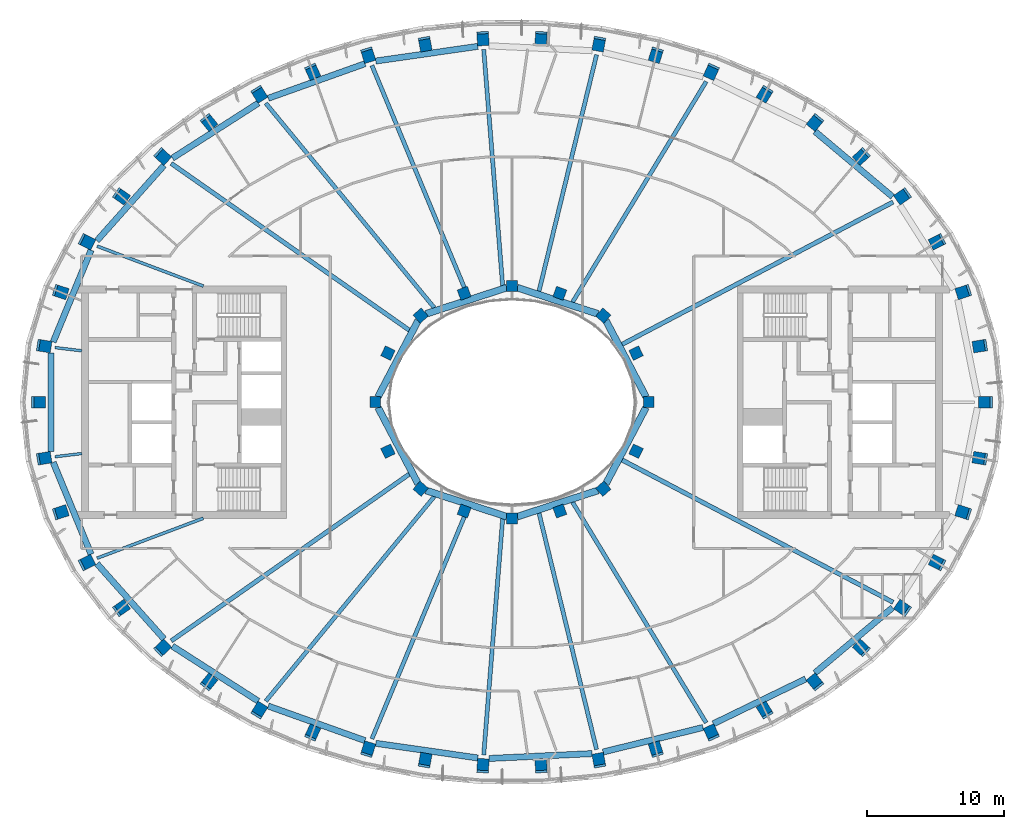
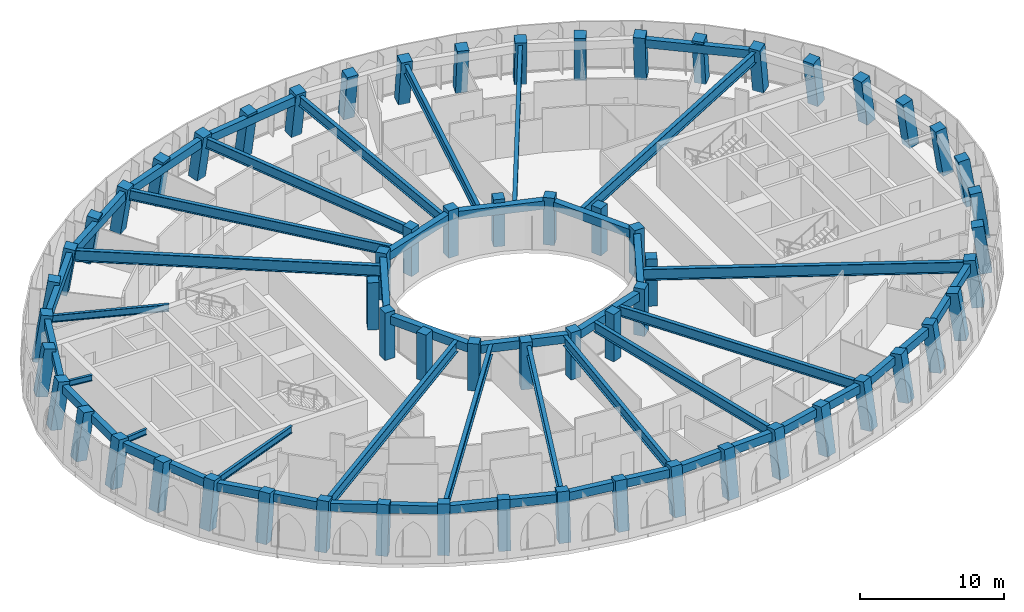
# One storey, part 1 of 15: 62 columns, 42 beams.
"""IFC4 building model written with IfcOpenShell, lengths in metres."""

from ifc_helpers import new_model, si_unit, direction, frame, origin, origin_2d, place, context, subcontext, project, spatial, rectangle, i_section, extrude, material, material_profile, profile_set, type_object, element, save


model = new_model("IFC4")

# Units and contexts
model_context = context("Model", 3, precision=1e-05, world=origin(), true_north=direction((0.0, 1.0)))
body_context = subcontext(model_context, "Body", "Model", "MODEL_VIEW")
ifc_project = project(units=[si_unit("LENGTHUNIT", "METRE"), si_unit("AREAUNIT", "SQUARE_METRE"), si_unit("VOLUMEUNIT", "CUBIC_METRE"), si_unit("PLANEANGLEUNIT", "RADIAN"), si_unit("MASSUNIT", "GRAM", prefix="KILO")], contexts=[model_context])

# Site, building, storey
site_placement = place(None, origin())
site = spatial("IfcSite", under=ifc_project, at=site_placement, CompositionType="ELEMENT")
building_placement = place(site_placement, origin())
building = spatial("IfcBuilding", under=site, at=building_placement, Name="Noorbagh Ring Tower", CompositionType="ELEMENT")
storey_placement = place(building_placement, frame((0.0, 0.0, 331.0)))
storey = spatial("IfcBuildingStorey", under=building, at=storey_placement, Name="L72", CompositionType="ELEMENT", Elevation=331.0)

# Columns
ifc_material_1 = material(Name="Concrete C50/60", Category="concrete")
ifc_material_profile_1 = material_profile(ifc_material_1, rectangle(XDim=0.85009765625, YDim=0.85009765625, at=origin_2d()), Name="RC850x850")
ifc_profile_set_1 = profile_set([ifc_material_profile_1], Name="Concrete C50/60")
column_type_1 = type_object("IfcColumnType", Name="STR-COL-RC850x850-C50-60", PredefinedType="COLUMN", material=ifc_profile_set_1)
for number, where, z_axis, x_axis, name in (
    (1, (34.740966796875, 0.0, 0.021484375), (-0.150246282603, 0.0, 0.988648600143), (0.0, -1.0, 0.0), "L72/col/R1-01"),
    (2, (34.325439453125, 4.11865234375, 0.021484375), (-0.148296126963, -0.02360781618, 0.988661180457), (0.157214100431, -0.987564543018, 0.0), "L72/col/R1-02"),
    (3, (33.111328125, 8.086669921875, 0.021484375), (-0.142866536544, -0.046300470212, 0.988658393579), (0.308296093486, -0.951290449201, 0.0), "L72/col/R1-03"),
    (4, (31.182861328125, 11.77978515625, 0.021484375), (-0.134266373369, -0.067163687905, 0.988666566649), (0.447376122584, -0.894345908998, 0.0), "L72/col/R1-04"),
    (5, (28.65185546875, 15.114013671875, 0.021484375), (-0.123102696868, -0.085952279429, 0.988664721574), (0.572480262114, -0.819918501736, 0.0), "L72/col/R1-05"),
    (6, (25.633544921875, 18.041748046875, 0.021484375), (-0.109926485592, -0.102240171949, 0.988667342945), (0.681043146633, -0.732243287729, 0.0), "L72/col/R1-06"),
    (7, (22.23291015625, 20.54248046875, 0.021484375), (-0.095164090544, -0.116087989939, 0.988669497083), (0.773359441209, -0.633967802568, 0.0), "L72/col/R1-07"),
    (8, (18.538818359375, 22.6123046875, 0.021484375), (-0.079302952693, -0.127494747022, 0.988663810997), (0.849137590634, -0.528171707093, 0.0), "L72/col/R1-08"),
    (9, (14.624755859375, 24.255615234375, 0.021484375), (-0.062466428094, -0.136523306713, 0.988665429802), (0.90933395541, -0.416067010876, 0.0), "L72/col/R1-09"),
    (10, (10.552001953125, 25.479248046875, 0.021484375), (-0.045019705707, -0.143233426828, 0.988664458518), (0.953987075843, -0.299847726564, 0.0), "L72/col/R1-10"),
    (11, (6.372314453125, 26.29052734375, 0.021484375), (-0.027145707227, -0.14774584922, 0.988652757351), (0.983536857085, -0.180707638895, 0.0), "L72/col/R1-11"),
    (12, (2.130859375, 26.694580078125, 0.021484375), (-0.009089322358, -0.149882315657, 0.988662063433), (0.99816626583, -0.060531857391, 0.0), "L72/col/R1-12"),
    (13, (-2.130859375, 26.694580078125, 0.021484375), (0.009089322358, -0.149882315657, 0.988662063433), (0.99816626583, 0.060531857391, 0.0), "L72/col/R1-13"),
    (14, (-6.372314453125, 26.29052734375, 0.021484375), (0.027145707227, -0.14774584922, 0.988652757351), (0.983536857085, 0.180707638895, 0.0), "L72/col/R1-14"),
    (15, (-10.552001953125, 25.479248046875, 0.021484375), (0.045019705707, -0.143233426828, 0.988664458518), (0.953987075843, 0.299847726564, 0.0), "L72/col/R1-15"),
    (16, (-14.624755859375, 24.255615234375, 0.021484375), (0.062466428094, -0.136523306713, 0.988665429802), (0.90933395541, 0.416067010876, 0.0), "L72/col/R1-16"),
    (17, (-18.538818359375, 22.6123046875, 0.021484375), (0.079302952693, -0.127494747022, 0.988663810997), (0.849137590634, 0.528171707093, 0.0), "L72/col/R1-17"),
    (18, (-22.23291015625, 20.54248046875, 0.021484375), (0.095164090544, -0.116087989939, 0.988669497083), (0.773359441209, 0.633967802568, 0.0), "L72/col/R1-18"),
    (19, (-25.633544921875, 18.041748046875, 0.021484375), (0.109926485592, -0.102240171949, 0.988667342945), (0.681043146633, 0.732243287729, 0.0), "L72/col/R1-19"),
    (20, (-28.65185546875, 15.114013671875, 0.021484375), (0.123102696868, -0.085952279429, 0.988664721574), (0.572480262114, 0.819918501736, 0.0), "L72/col/R1-20"),
    (21, (-31.182861328125, 11.77978515625, 0.021484375), (0.134266373369, -0.067163687905, 0.988666566649), (0.447376122584, 0.894345908998, 0.0), "L72/col/R1-21"),
    (22, (-33.111328125, 8.086669921875, 0.021484375), (0.142866536544, -0.046300470212, 0.988658393579), (0.308296093486, 0.951290449201, 0.0), "L72/col/R1-22"),
    (23, (-34.325439453125, 4.11865234375, 0.021484375), (0.148296126963, -0.02360781618, 0.988661180457), (0.157214100431, 0.987564543018, 0.0), "L72/col/R1-23"),
    (24, (-34.740966796875, 0.0, 0.021484375), (0.150246282603, 0.0, 0.988648600143), (0.0, 1.0, 0.0), "L72/col/R1-24"),
    (25, (-34.325439453125, -4.11865234375, 0.021484375), (0.148296126963, 0.02360781618, 0.988661180457), (-0.157214100431, 0.987564543018, 0.0), "L72/col/R1-25"),
    (26, (-33.111328125, -8.086669921875, 0.021484375), (0.142866536544, 0.046300470212, 0.988658393579), (-0.308296093486, 0.951290449201, 0.0), "L72/col/R1-26"),
    (27, (-31.182861328125, -11.77978515625, 0.021484375), (0.134266373369, 0.067163687905, 0.988666566649), (-0.447376122584, 0.894345908998, 0.0), "L72/col/R1-27"),
    (28, (-28.65185546875, -15.114013671875, 0.021484375), (0.123102696868, 0.085952279429, 0.988664721574), (-0.572480262114, 0.819918501736, 0.0), "L72/col/R1-28"),
    (29, (-25.633544921875, -18.041748046875, 0.021484375), (0.109926485592, 0.102240171949, 0.988667342945), (-0.681043146633, 0.732243287729, 0.0), "L72/col/R1-29"),
    (30, (-22.23291015625, -20.54248046875, 0.021484375), (0.095164090544, 0.116087989939, 0.988669497083), (-0.773359441209, 0.633967802568, 0.0), "L72/col/R1-30"),
    (31, (-18.538818359375, -22.6123046875, 0.021484375), (0.079302952693, 0.127494747022, 0.988663810997), (-0.849137590634, 0.528171707093, 0.0), "L72/col/R1-31"),
    (32, (-14.624755859375, -24.255615234375, 0.021484375), (0.062466428094, 0.136523306713, 0.988665429802), (-0.90933395541, 0.416067010876, 0.0), "L72/col/R1-32"),
    (33, (-10.552001953125, -25.479248046875, 0.021484375), (0.045019705707, 0.143233426828, 0.988664458518), (-0.953987075843, 0.299847726564, 0.0), "L72/col/R1-33"),
    (34, (-6.372314453125, -26.29052734375, 0.021484375), (0.027145707227, 0.14774584922, 0.988652757351), (-0.983536857085, 0.180707638895, 0.0), "L72/col/R1-34"),
    (35, (-2.130859375, -26.694580078125, 0.021484375), (0.009089322358, 0.149882315657, 0.988662063433), (-0.99816626583, 0.060531857391, 0.0), "L72/col/R1-35"),
    (36, (2.130859375, -26.694580078125, 0.021484375), (-0.009089322358, 0.149882315657, 0.988662063433), (-0.99816626583, -0.060531857391, 0.0), "L72/col/R1-36"),
    (37, (6.372314453125, -26.29052734375, 0.021484375), (-0.027145707227, 0.14774584922, 0.988652757351), (-0.983536857085, -0.180707638895, 0.0), "L72/col/R1-37"),
    (38, (10.552001953125, -25.479248046875, 0.021484375), (-0.045019705707, 0.143233426828, 0.988664458518), (-0.953987075843, -0.299847726564, 0.0), "L72/col/R1-38"),
    (39, (14.624755859375, -24.255615234375, 0.021484375), (-0.062466428094, 0.136523306713, 0.988665429802), (-0.90933395541, -0.416067010876, 0.0), "L72/col/R1-39"),
    (40, (18.538818359375, -22.6123046875, 0.021484375), (-0.079302952693, 0.127494747022, 0.988663810997), (-0.849137590634, -0.528171707093, 0.0), "L72/col/R1-40"),
    (41, (22.23291015625, -20.54248046875, 0.021484375), (-0.095164090544, 0.116087989939, 0.988669497083), (-0.773359441209, -0.633967802568, 0.0), "L72/col/R1-41"),
    (42, (25.633544921875, -18.041748046875, 0.021484375), (-0.109926485592, 0.102240171949, 0.988667342945), (-0.681043146633, -0.732243287729, 0.0), "L72/col/R1-42"),
    (43, (28.65185546875, -15.114013671875, 0.021484375), (-0.123102696868, 0.085952279429, 0.988664721574), (-0.572480262114, -0.819918501736, 0.0), "L72/col/R1-43"),
    (44, (31.182861328125, -11.77978515625, 0.021484375), (-0.134266373369, 0.067163687905, 0.988666566649), (-0.447376122584, -0.894345908998, 0.0), "L72/col/R1-44"),
    (45, (33.111328125, -8.086669921875, 0.021484375), (-0.142866536544, 0.046300470212, 0.988658393579), (-0.308296093486, -0.951290449201, 0.0), "L72/col/R1-45"),
    (46, (34.325439453125, -4.11865234375, 0.021484375), (-0.148296126963, 0.02360781618, 0.988661180457), (-0.157214100431, -0.987564543018, 0.0), "L72/col/R1-46"),
):
    element("IfcColumn", number, at=place(storey_placement, frame(where, z_axis=z_axis, x_axis=x_axis)), inside=storey, type_object=column_type_1, Name=name, PredefinedType="COLUMN", context=body_context, shape_type="SweptSolid", body=[
        extrude(rectangle(XDim=0.85009765625, YDim=0.85009765625, at=origin_2d()), origin(), (0.0, 0.0, 1.0), 4.002197265625),
    ])
ifc_material_2 = material(Name="Concrete C50/60", Category="concrete")
ifc_material_profile_2 = material_profile(ifc_material_2, rectangle(XDim=0.800048828125, YDim=0.800048828125, at=origin_2d()), Name="RC800x800")
ifc_profile_set_2 = profile_set([ifc_material_profile_2], Name="Concrete C50/60")
column_type_2 = type_object("IfcColumnType", Name="STR-ICOL-RC800x800-C50-60", PredefinedType="COLUMN", material=ifc_profile_set_2)
for number, where, z_axis, x_axis, name in (
    (47, (10.00830078125, 0.0, 0.0), (0.0, 0.0, 1.0), (0.0, 1.0, 0.0), "L72/col/IR2-W01"),
    (48, (9.07568359375, 3.58837890625, 0.0), (0.0, 0.0, 1.0), (-0.428666979171, 0.903462573087, 0.0), "L72/col/IR2-W03"),
    (49, (6.68212890625, 6.333740234375, 0.0), (0.0, 0.0, 1.0), (-0.75102249095, 0.660276622399, 0.0), "L72/col/IR2-W05"),
    (50, (3.5009765625, 7.967041015625, 0.0), (0.0, 0.0, 1.0), (-0.939019578916, 0.343863679984, 0.0), "L72/col/IR2-W07"),
    (51, (0.0, 8.5029296875, 0.0), (0.0, 0.0, 1.0), (-1.0, 0.0, 0.0), "L72/col/IR2-W09"),
    (52, (-3.5009765625, 7.967041015625, 0.0), (0.0, 0.0, 1.0), (-0.939019578916, -0.343863679984, 0.0), "L72/col/IR2-W11"),
    (53, (-6.68212890625, 6.333740234375, 0.0), (0.0, 0.0, 1.0), (-0.75102249095, -0.660276622399, 0.0), "L72/col/IR2-W13"),
    (54, (-9.07568359375, 3.58837890625, 0.0), (0.0, 0.0, 1.0), (-0.428666979171, -0.903462573087, 0.0), "L72/col/IR2-W15"),
    (55, (-10.00830078125, 0.0, 0.0), (0.0, 0.0, 1.0), (0.0, -1.0, 0.0), "L72/col/IR2-W17"),
    (56, (-9.07568359375, -3.58837890625, 0.0), (0.0, 0.0, 1.0), (0.428666979171, -0.903462573087, 0.0), "L72/col/IR2-W19"),
    (57, (-6.68212890625, -6.333740234375, 0.0), (0.0, 0.0, 1.0), (0.75102249095, -0.660276622399, 0.0), "L72/col/IR2-W21"),
    (58, (-3.5009765625, -7.967041015625, 0.0), (0.0, 0.0, 1.0), (0.939019578916, -0.343863679984, 0.0), "L72/col/IR2-W23"),
    (59, (0.0, -8.5029296875, 0.0), (0.0, 0.0, 1.0), (1.0, 0.0, 0.0), "L72/col/IR2-W25"),
    (60, (3.5009765625, -7.967041015625, 0.0), (0.0, 0.0, 1.0), (0.939019578916, 0.343863679984, 0.0), "L72/col/IR2-W27"),
    (61, (6.68212890625, -6.333740234375, 0.0), (0.0, 0.0, 1.0), (0.75102249095, 0.660276622399, 0.0), "L72/col/IR2-W29"),
    (62, (9.07568359375, -3.58837890625, 0.0), (0.0, 0.0, 1.0), (0.428666979171, 0.903462573087, 0.0), "L72/col/IR2-W31"),
):
    element("IfcColumn", number, at=place(storey_placement, frame(where, z_axis=z_axis, x_axis=x_axis)), inside=storey, type_object=column_type_2, Name=name, PredefinedType="COLUMN", context=body_context, shape_type="SweptSolid", body=[
        extrude(rectangle(XDim=0.800048828125, YDim=0.800048828125, at=origin_2d()), origin(), (0.0, 0.0, 1.0), 4.0),
    ])

# Beams
ifc_material_3 = material(Name="Steel S355", Category="steel")
ifc_material_profile_3 = material_profile(ifc_material_3, i_section(OverallWidth=0.199951171875, OverallDepth=0.5, WebThickness=0.01025390625, FlangeThickness=0.01611328125, FilletRadius=0.02099609375, at=origin_2d()), Name="IPE500")
ifc_profile_set_3 = profile_set([ifc_material_profile_3], Name="Steel S355")
beam_type_1 = type_object("IfcBeamType", Name="STR-RAD-IPE500", PredefinedType="BEAM", material=ifc_profile_set_3)
for number, where, z_axis, x_axis, name in (
    (63, (-33.44140625, 3.993896484375, 3.449951171875), (0.992949182068, -0.11854080239, 0.0), (0.11854080239, 0.992949182068, 0.0), "L72/bm/RD23"),
    (64, (-33.44140625, -3.993896484375, 3.449951171875), (0.992949182068, 0.11854080239, 0.0), (-0.11854080239, 0.992949182068, 0.0), "L72/bm/RD25"),
):
    element("IfcBeam", number, at=place(storey_placement, frame(where, z_axis=z_axis, x_axis=x_axis)), inside=storey, type_object=beam_type_1, Name=name, PredefinedType="BEAM", context=body_context, shape_type="SweptSolid", body=[
        extrude(i_section(OverallWidth=0.199951171875, OverallDepth=0.5, WebThickness=0.01025390625, FlangeThickness=0.01611328125, FilletRadius=0.02099609375, at=origin_2d()), origin(), (0.0, 0.0, 1.0), 1.97509765625),
    ])
ifc_material_4 = material(Name="Steel S355", Category="steel")
ifc_material_profile_4 = material_profile(ifc_material_4, i_section(OverallWidth=0.219970703125, OverallDepth=0.60009765625, WebThickness=0.011962890625, FlangeThickness=0.01904296875, FilletRadius=0.02392578125, at=origin_2d()), Name="IPE600")
ifc_profile_set_4 = profile_set([ifc_material_profile_4], Name="Steel S355")
beam_type_2 = type_object("IfcBeamType", Name="STR-RAD-IPE600", PredefinedType="BEAM", material=ifc_profile_set_4)
for number, where, z_axis, x_axis, name in (
    (65, (-30.35986328125, 11.416259765625, 3.39990234375), (0.936011091398, -0.351970505555, 0.0), (0.351970505555, 0.936011091398, 0.0), "L72/bm/RD21"),
    (66, (-30.35986328125, -11.416259765625, 3.39990234375), (0.936011091398, 0.351970505555, 0.0), (-0.351970505555, 0.936011091398, 0.0), "L72/bm/RD27"),
):
    element("IfcBeam", number, at=place(storey_placement, frame(where, z_axis=z_axis, x_axis=x_axis)), inside=storey, type_object=beam_type_2, Name=name, PredefinedType="BEAM", context=body_context, shape_type="SweptSolid", body=[
        extrude(i_section(OverallWidth=0.219970703125, OverallDepth=0.60009765625, WebThickness=0.011962890625, FlangeThickness=0.01904296875, FilletRadius=0.02392578125, at=origin_2d()), origin(), (0.0, 0.0, 1.0), 8.3056640625),
    ])
ifc_material_5 = material(Name="Steel S355", Category="steel")
ifc_material_profile_5 = material_profile(ifc_material_5, i_section(OverallWidth=0.300048828125, OverallDepth=0.85009765625, WebThickness=0.013916015625, FlangeThickness=0.028076171875, at=origin_2d()), Name="PG850x300x14x28")
ifc_profile_set_5 = profile_set([ifc_material_profile_5], Name="Steel S355")
beam_type_3 = type_object("IfcBeamType", Name="STR-RAD-PG850x300x14x28", PredefinedType="BEAM", material=ifc_profile_set_5)
beam_1_placement = place(storey_placement, frame((14.2080078125, 23.459228515625, 3.27490234375), z_axis=(-0.518043219062, -0.855354443014, 0.0), x_axis=(0.855354443014, -0.518043219062, 0.0)))
element("IfcBeam", 67, at=beam_1_placement, inside=storey, type_object=beam_type_3, Name="L72/bm/RD09", PredefinedType="BEAM", context=body_context, shape_type="SweptSolid", body=[
    extrude(i_section(OverallWidth=0.300048828125, OverallDepth=0.85009765625, WebThickness=0.013916015625, FlangeThickness=0.028076171875, at=origin_2d()), origin(), (0.0, 0.0, 1.0), 18.882080078125),
])
beam_2_placement = place(storey_placement, frame((6.18798828125, 25.41650390625, 3.27490234375), z_axis=(-0.236550517102, -0.971619191278, 0.0), x_axis=(0.971619191278, -0.236550517102, 0.0)))
element("IfcBeam", 68, at=beam_2_placement, inside=storey, type_object=beam_type_3, Name="L72/bm/RD11", PredefinedType="BEAM", context=body_context, shape_type="SweptSolid", body=[
    extrude(i_section(OverallWidth=0.300048828125, OverallDepth=0.85009765625, WebThickness=0.013916015625, FlangeThickness=0.028076171875, at=origin_2d()), origin(), (0.0, 0.0, 1.0), 17.81787109375),
])
beam_3_placement = place(storey_placement, frame((-2.069091796875, 25.804931640625, 3.27490234375), z_axis=(0.079929922365, -0.996800485308, 0.0), x_axis=(0.996800485308, 0.079929922365, 0.0)))
element("IfcBeam", 69, at=beam_3_placement, inside=storey, type_object=beam_type_3, Name="L72/bm/RD13", PredefinedType="BEAM", context=body_context, shape_type="SweptSolid", body=[
    extrude(i_section(OverallWidth=0.300048828125, OverallDepth=0.85009765625, WebThickness=0.013916015625, FlangeThickness=0.028076171875, at=origin_2d()), origin(), (0.0, 0.0, 1.0), 17.3369140625),
])
beam_4_placement = place(storey_placement, frame((-10.24853515625, 24.636474609375, 3.27490234375), z_axis=(0.384076502056, -0.923301272916, 0.0), x_axis=(0.923301272916, 0.384076502056, 0.0)))
element("IfcBeam", 70, at=beam_4_placement, inside=storey, type_object=beam_type_3, Name="L72/bm/RD15", PredefinedType="BEAM", context=body_context, shape_type="SweptSolid", body=[
    extrude(i_section(OverallWidth=0.300048828125, OverallDepth=0.85009765625, WebThickness=0.013916015625, FlangeThickness=0.028076171875, at=origin_2d()), origin(), (0.0, 0.0, 1.0), 18.338623046875),
])
for number, where, z_axis, x_axis, name in (
    (71, (-18.0166015625, 21.877197265625, 3.27490234375), (0.63571386925, -0.771924786778, 0.0), (0.771924786778, 0.63571386925, 0.0), "L72/bm/RD17"),
    (72, (-18.0166015625, -21.877197265625, 3.27490234375), (0.63571386925, 0.771924786778, 0.0), (-0.771924786778, 0.63571386925, 0.0), "L72/bm/RD31"),
):
    element("IfcBeam", number, at=place(storey_placement, frame(where, z_axis=z_axis, x_axis=x_axis)), inside=storey, type_object=beam_type_3, Name=name, PredefinedType="BEAM", context=body_context, shape_type="SweptSolid", body=[
        extrude(i_section(OverallWidth=0.300048828125, OverallDepth=0.85009765625, WebThickness=0.013916015625, FlangeThickness=0.028076171875, at=origin_2d()), origin(), (0.0, 0.0, 1.0), 19.400634765625),
    ])
beam_5_placement = place(storey_placement, frame((-10.24853515625, -24.636474609375, 3.27490234375), z_axis=(0.384076502056, 0.923301272916, 0.0), x_axis=(-0.923301272916, 0.384076502056, 0.0)))
element("IfcBeam", 73, at=beam_5_placement, inside=storey, type_object=beam_type_3, Name="L72/bm/RD33", PredefinedType="BEAM", context=body_context, shape_type="SweptSolid", body=[
    extrude(i_section(OverallWidth=0.300048828125, OverallDepth=0.85009765625, WebThickness=0.013916015625, FlangeThickness=0.028076171875, at=origin_2d()), origin(), (0.0, 0.0, 1.0), 18.338623046875),
])
beam_6_placement = place(storey_placement, frame((-2.069091796875, -25.804931640625, 3.27490234375), z_axis=(0.079929922365, 0.996800485308, 0.0), x_axis=(-0.996800485308, 0.079929922365, 0.0)))
element("IfcBeam", 74, at=beam_6_placement, inside=storey, type_object=beam_type_3, Name="L72/bm/RD35", PredefinedType="BEAM", context=body_context, shape_type="SweptSolid", body=[
    extrude(i_section(OverallWidth=0.300048828125, OverallDepth=0.85009765625, WebThickness=0.013916015625, FlangeThickness=0.028076171875, at=origin_2d()), origin(), (0.0, 0.0, 1.0), 17.3369140625),
])
beam_7_placement = place(storey_placement, frame((6.18798828125, -25.41650390625, 3.27490234375), z_axis=(-0.236550517102, 0.971619191278, 0.0), x_axis=(-0.971619191278, -0.236550517102, 0.0)))
element("IfcBeam", 75, at=beam_7_placement, inside=storey, type_object=beam_type_3, Name="L72/bm/RD37", PredefinedType="BEAM", context=body_context, shape_type="SweptSolid", body=[
    extrude(i_section(OverallWidth=0.300048828125, OverallDepth=0.85009765625, WebThickness=0.013916015625, FlangeThickness=0.028076171875, at=origin_2d()), origin(), (0.0, 0.0, 1.0), 17.81787109375),
])
beam_8_placement = place(storey_placement, frame((14.2080078125, -23.459228515625, 3.27490234375), z_axis=(-0.518043219062, 0.855354443014, 0.0), x_axis=(-0.855354443014, -0.518043219062, 0.0)))
element("IfcBeam", 76, at=beam_8_placement, inside=storey, type_object=beam_type_3, Name="L72/bm/RD39", PredefinedType="BEAM", context=body_context, shape_type="SweptSolid", body=[
    extrude(i_section(OverallWidth=0.300048828125, OverallDepth=0.85009765625, WebThickness=0.013916015625, FlangeThickness=0.028076171875, at=origin_2d()), origin(), (0.0, 0.0, 1.0), 18.882080078125),
])
ifc_material_6 = material(Name="Steel S355", Category="steel")
ifc_material_profile_6 = material_profile(ifc_material_6, i_section(OverallWidth=0.320068359375, OverallDepth=0.949951171875, WebThickness=0.01611328125, FlangeThickness=0.030029296875, at=origin_2d()), Name="PG950x320x16x30")
ifc_profile_set_6 = profile_set([ifc_material_profile_6], Name="Steel S355")
beam_type_4 = type_object("IfcBeamType", Name="STR-RAD-PG950x320x16x30", PredefinedType="BEAM", material=ifc_profile_set_6)
beam_9_placement = place(storey_placement, frame((27.8828125, 14.641357421875, 3.22509765625), z_axis=(-0.885359887891, -0.46490630122, 0.0), x_axis=(0.46490630122, -0.885359887891, 0.0)))
element("IfcBeam", 77, at=beam_9_placement, inside=storey, type_object=beam_type_4, Name="L72/bm/RD05", PredefinedType="BEAM", context=body_context, shape_type="SweptSolid", body=[
    extrude(i_section(OverallWidth=0.320068359375, OverallDepth=0.949951171875, WebThickness=0.01611328125, FlangeThickness=0.030029296875, at=origin_2d()), origin(), (0.0, 0.0, 1.0), 22.40234375),
])
for number, where, z_axis, x_axis, name in (
    (78, (-24.93359375, 17.469482421875, 3.22509765625), (0.818986055158, -0.573813420423, 0.0), (0.573813420423, 0.818986055158, 0.0), "L72/bm/RD19"),
    (79, (-24.93359375, -17.469482421875, 3.22509765625), (0.818986055158, 0.573813420423, 0.0), (-0.573813420423, 0.818986055158, 0.0), "L72/bm/RD29"),
):
    element("IfcBeam", number, at=place(storey_placement, frame(where, z_axis=z_axis, x_axis=x_axis)), inside=storey, type_object=beam_type_4, Name=name, PredefinedType="BEAM", context=body_context, shape_type="SweptSolid", body=[
        extrude(i_section(OverallWidth=0.320068359375, OverallDepth=0.949951171875, WebThickness=0.01611328125, FlangeThickness=0.030029296875, at=origin_2d()), origin(), (0.0, 0.0, 1.0), 21.279052734375),
    ])
beam_10_placement = place(storey_placement, frame((27.8828125, -14.641357421875, 3.22509765625), z_axis=(-0.885359887891, 0.46490630122, 0.0), x_axis=(-0.46490630122, -0.885359887891, 0.0)))
element("IfcBeam", 80, at=beam_10_placement, inside=storey, type_object=beam_type_4, Name="L72/bm/RD43", PredefinedType="BEAM", context=body_context, shape_type="SweptSolid", body=[
    extrude(i_section(OverallWidth=0.320068359375, OverallDepth=0.949951171875, WebThickness=0.01611328125, FlangeThickness=0.030029296875, at=origin_2d()), origin(), (0.0, 0.0, 1.0), 22.40234375),
])
ifc_material_7 = material(Name="Concrete C40/50", Category="concrete")
ifc_material_profile_7 = material_profile(ifc_material_7, rectangle(XDim=0.5, YDim=0.699951171875, at=origin_2d()), Name="RC500x700")
ifc_profile_set_7 = profile_set([ifc_material_profile_7], Name="Concrete C40/50")
beam_type_5 = type_object("IfcBeamType", Name="STR-RB-RC500x700-C40-50", PredefinedType="BEAM", material=ifc_profile_set_7)
beam_11_placement = place(storey_placement, frame((9.8076171875, 0.38232421875, 3.35009765625), z_axis=(-0.464943021964, 0.885340604698, 0.0), x_axis=(-0.885340604698, -0.464943021964, 0.0)))
element("IfcBeam", 81, at=beam_11_placement, inside=storey, type_object=beam_type_5, Name="L72/bm/RG01", PredefinedType="BEAM", context=body_context, shape_type="SweptSolid", body=[
    extrude(rectangle(XDim=0.5, YDim=0.699951171875, at=origin_2d()), origin(), (0.0, 0.0, 1.0), 6.313720703125),
])
for number, where, z_axis, x_axis, name in (
    (82, (6.286865234375, 6.462158203125, 3.35009765625), (-0.951150444931, 0.308727762126, 0.0), (-0.308727762126, -0.951150444931, 0.0), "L72/bm/RG03"),
    (83, (-0.380859375, 8.379150390625, 3.35009765625), (-0.951150444931, -0.308727762126, 0.0), (0.308727762126, -0.951150444931, 0.0), "L72/bm/RG05"),
):
    element("IfcBeam", number, at=place(storey_placement, frame(where, z_axis=z_axis, x_axis=x_axis)), inside=storey, type_object=beam_type_5, Name=name, PredefinedType="BEAM", context=body_context, shape_type="SweptSolid", body=[
        extrude(rectangle(XDim=0.5, YDim=0.699951171875, at=origin_2d()), origin(), (0.0, 0.0, 1.0), 6.209228515625),
    ])
for number, where, z_axis, x_axis, name in (
    (84, (-6.8720703125, 5.97216796875, 3.35009765625), (-0.464943021964, -0.885340604698, 0.0), (0.885340604698, -0.464943021964, 0.0), "L72/bm/RG07"),
    (85, (-9.8076171875, -0.38232421875, 3.35009765625), (0.464943021964, -0.885340604698, 0.0), (0.885340604698, 0.464943021964, 0.0), "L72/bm/RG09"),
):
    element("IfcBeam", number, at=place(storey_placement, frame(where, z_axis=z_axis, x_axis=x_axis)), inside=storey, type_object=beam_type_5, Name=name, PredefinedType="BEAM", context=body_context, shape_type="SweptSolid", body=[
        extrude(rectangle(XDim=0.5, YDim=0.699951171875, at=origin_2d()), origin(), (0.0, 0.0, 1.0), 6.313720703125),
    ])
for number, where, z_axis, x_axis, name in (
    (86, (-6.286865234375, -6.462158203125, 3.35009765625), (0.951150444931, -0.308727762126, 0.0), (0.308727762126, 0.951150444931, 0.0), "L72/bm/RG11"),
    (87, (0.380859375, -8.379150390625, 3.35009765625), (0.951150444931, 0.308727762126, 0.0), (-0.308727762126, 0.951150444931, 0.0), "L72/bm/RG13"),
):
    element("IfcBeam", number, at=place(storey_placement, frame(where, z_axis=z_axis, x_axis=x_axis)), inside=storey, type_object=beam_type_5, Name=name, PredefinedType="BEAM", context=body_context, shape_type="SweptSolid", body=[
        extrude(rectangle(XDim=0.5, YDim=0.699951171875, at=origin_2d()), origin(), (0.0, 0.0, 1.0), 6.209228515625),
    ])
beam_12_placement = place(storey_placement, frame((6.8720703125, -5.97216796875, 3.35009765625), z_axis=(0.464943021964, 0.885340604698, 0.0), x_axis=(-0.885340604698, 0.464943021964, 0.0)))
element("IfcBeam", 88, at=beam_12_placement, inside=storey, type_object=beam_type_5, Name="L72/bm/RG15", PredefinedType="BEAM", context=body_context, shape_type="SweptSolid", body=[
    extrude(rectangle(XDim=0.5, YDim=0.699951171875, at=origin_2d()), origin(), (0.0, 0.0, 1.0), 6.313720703125),
])
ifc_material_8 = material(Name="Concrete C40/50", Category="concrete")
ifc_material_profile_8 = material_profile(ifc_material_8, rectangle(XDim=0.449951171875, YDim=0.699951171875, at=origin_2d()), Name="RC450x700")
ifc_profile_set_8 = profile_set([ifc_material_profile_8], Name="Concrete C40/50")
beam_type_6 = type_object("IfcBeamType", Name="STR-SB-RC450x700-C40-50", PredefinedType="BEAM", material=ifc_profile_set_8)
beam_13_placement = place(storey_placement, frame((27.84326171875, 15.03173828125, 3.35009765625), z_axis=(-0.765123484254, 0.643883571651, 0.0), x_axis=(-0.643883571651, -0.765123484254, 0.0)))
element("IfcBeam", 89, at=beam_13_placement, inside=storey, type_object=beam_type_6, Name="L72/bm/SP05", PredefinedType="BEAM", context=body_context, shape_type="SweptSolid", body=[
    extrude(rectangle(XDim=0.449951171875, YDim=0.699951171875, at=origin_2d()), origin(), (0.0, 0.0, 1.0), 7.424560546875),
])
beam_14_placement = place(storey_placement, frame((-2.4970703125, 26.033447265625, 3.35009765625), z_axis=(-0.989847669061, -0.142132304756, 0.0), x_axis=(0.142132304756, -0.989847669061, 0.0)))
element("IfcBeam", 90, at=beam_14_placement, inside=storey, type_object=beam_type_6, Name="L72/bm/SP13", PredefinedType="BEAM", context=body_context, shape_type="SweptSolid", body=[
    extrude(rectangle(XDim=0.449951171875, YDim=0.699951171875, at=origin_2d()), origin(), (0.0, 0.0, 1.0), 7.547607421875),
])
beam_15_placement = place(storey_placement, frame((-10.75439453125, 24.765869140625, 3.35009765625), z_axis=(-0.941724281414, -0.33638575742, 0.0), x_axis=(0.33638575742, -0.941724281414, 0.0)))
element("IfcBeam", 91, at=beam_15_placement, inside=storey, type_object=beam_type_6, Name="L72/bm/SP15", PredefinedType="BEAM", context=body_context, shape_type="SweptSolid", body=[
    extrude(rectangle(XDim=0.449951171875, YDim=0.699951171875, at=origin_2d()), origin(), (0.0, 0.0, 1.0), 7.519775390625),
])
beam_16_placement = place(storey_placement, frame((-18.563232421875, 21.879150390625, 3.35009765625), z_axis=(-0.841869612989, -0.539680974953, 0.0), x_axis=(0.539680974953, -0.841869612989, 0.0)))
element("IfcBeam", 92, at=beam_16_placement, inside=storey, type_object=beam_type_6, Name="L72/bm/SP17", PredefinedType="BEAM", context=body_context, shape_type="SweptSolid", body=[
    extrude(rectangle(XDim=0.449951171875, YDim=0.699951171875, at=origin_2d()), origin(), (0.0, 0.0, 1.0), 7.46435546875),
])
beam_17_placement = place(storey_placement, frame((-25.463623046875, 17.324462890625, 3.35009765625), z_axis=(-0.665084588152, -0.746768029981, 0.0), x_axis=(0.746768029981, -0.665084588152, 0.0)))
element("IfcBeam", 93, at=beam_17_placement, inside=storey, type_object=beam_type_6, Name="L72/bm/SP19", PredefinedType="BEAM", context=body_context, shape_type="SweptSolid", body=[
    extrude(rectangle(XDim=0.449951171875, YDim=0.699951171875, at=origin_2d()), origin(), (0.0, 0.0, 1.0), 7.37646484375),
])
beam_18_placement = place(storey_placement, frame((-30.799560546875, 11.12890625, 3.35009765625), z_axis=(-0.381122920368, -0.924524374784, 0.0), x_axis=(0.924524374784, -0.381122920368, 0.0)))
element("IfcBeam", 94, at=beam_18_placement, inside=storey, type_object=beam_type_6, Name="L72/bm/SP21", PredefinedType="BEAM", context=body_context, shape_type="SweptSolid", body=[
    extrude(rectangle(XDim=0.449951171875, YDim=0.699951171875, at=origin_2d()), origin(), (0.0, 0.0, 1.0), 7.2724609375),
])
beam_19_placement = place(storey_placement, frame((-33.728759765625, 3.60986328125, 3.35009765625), z_axis=(0.0, -1.0, 0.0), x_axis=(1.0, 0.0, 0.0)))
element("IfcBeam", 95, at=beam_19_placement, inside=storey, type_object=beam_type_6, Name="L72/bm/SP23", PredefinedType="BEAM", context=body_context, shape_type="SweptSolid", body=[
    extrude(rectangle(XDim=0.449951171875, YDim=0.699951171875, at=origin_2d()), origin(), (0.0, 0.0, 1.0), 7.2197265625),
])
beam_20_placement = place(storey_placement, frame((-33.5712890625, -4.4052734375, 3.35009765625), z_axis=(0.381122920368, -0.924524374784, 0.0), x_axis=(0.924524374784, 0.381122920368, 0.0)))
element("IfcBeam", 96, at=beam_20_placement, inside=storey, type_object=beam_type_6, Name="L72/bm/SP25", PredefinedType="BEAM", context=body_context, shape_type="SweptSolid", body=[
    extrude(rectangle(XDim=0.449951171875, YDim=0.699951171875, at=origin_2d()), origin(), (0.0, 0.0, 1.0), 7.2724609375),
])
beam_21_placement = place(storey_placement, frame((-30.36962890625, -11.81591796875, 3.35009765625), z_axis=(0.665084588152, -0.746768029981, 0.0), x_axis=(0.746768029981, 0.665084588152, 0.0)))
element("IfcBeam", 97, at=beam_21_placement, inside=storey, type_object=beam_type_6, Name="L72/bm/SP27", PredefinedType="BEAM", context=body_context, shape_type="SweptSolid", body=[
    extrude(rectangle(XDim=0.449951171875, YDim=0.699951171875, at=origin_2d()), origin(), (0.0, 0.0, 1.0), 7.37646484375),
])
beam_22_placement = place(storey_placement, frame((-24.84716796875, -17.850830078125, 3.35009765625), z_axis=(0.841869612989, -0.539680974953, 0.0), x_axis=(0.539680974953, 0.841869612989, 0.0)))
element("IfcBeam", 98, at=beam_22_placement, inside=storey, type_object=beam_type_6, Name="L72/bm/SP29", PredefinedType="BEAM", context=body_context, shape_type="SweptSolid", body=[
    extrude(rectangle(XDim=0.449951171875, YDim=0.699951171875, at=origin_2d()), origin(), (0.0, 0.0, 1.0), 7.46435546875),
])
beam_23_placement = place(storey_placement, frame((-17.8359375, -22.236328125, 3.35009765625), z_axis=(0.941724281414, -0.33638575742, 0.0), x_axis=(0.33638575742, 0.941724281414, 0.0)))
element("IfcBeam", 99, at=beam_23_placement, inside=storey, type_object=beam_type_6, Name="L72/bm/SP31", PredefinedType="BEAM", context=body_context, shape_type="SweptSolid", body=[
    extrude(rectangle(XDim=0.449951171875, YDim=0.699951171875, at=origin_2d()), origin(), (0.0, 0.0, 1.0), 7.519775390625),
])
beam_24_placement = place(storey_placement, frame((-9.968017578125, -24.960693359375, 3.35009765625), z_axis=(0.989847669061, -0.142132304756, 0.0), x_axis=(0.142132304756, 0.989847669061, 0.0)))
element("IfcBeam", 100, at=beam_24_placement, inside=storey, type_object=beam_type_6, Name="L72/bm/SP33", PredefinedType="BEAM", context=body_context, shape_type="SweptSolid", body=[
    extrude(rectangle(XDim=0.449951171875, YDim=0.699951171875, at=origin_2d()), origin(), (0.0, 0.0, 1.0), 7.547607421875),
])
beam_25_placement = place(storey_placement, frame((-1.687744140625, -26.072021484375, 3.35009765625), z_axis=(0.998884170095, 0.047227266836, 0.0), x_axis=(-0.047227266836, 0.998884170095, 0.0)))
element("IfcBeam", 101, at=beam_25_placement, inside=storey, type_object=beam_type_6, Name="L72/bm/SP35", PredefinedType="BEAM", context=body_context, shape_type="SweptSolid", body=[
    extrude(rectangle(XDim=0.449951171875, YDim=0.699951171875, at=origin_2d()), origin(), (0.0, 0.0, 1.0), 7.552734375),
])
beam_26_placement = place(storey_placement, frame((6.658203125, -25.59912109375, 3.35009765625), z_axis=(0.971194579735, 0.238287826574, 0.0), x_axis=(-0.238287826574, 0.971194579735, 0.0)))
element("IfcBeam", 102, at=beam_26_placement, inside=storey, type_object=beam_type_6, Name="L72/bm/SP37", PredefinedType="BEAM", context=body_context, shape_type="SweptSolid", body=[
    extrude(rectangle(XDim=0.449951171875, YDim=0.699951171875, at=origin_2d()), origin(), (0.0, 0.0, 1.0), 7.53662109375),
])
beam_27_placement = place(storey_placement, frame((14.739990234375, -23.528076171875, 3.35009765625), z_axis=(0.899533025134, 0.436852763175, 0.0), x_axis=(-0.436852763175, 0.899533025134, 0.0)))
element("IfcBeam", 103, at=beam_27_placement, inside=storey, type_object=beam_type_6, Name="L72/bm/SP39", PredefinedType="BEAM", context=body_context, shape_type="SweptSolid", body=[
    extrude(rectangle(XDim=0.449951171875, YDim=0.699951171875, at=origin_2d()), origin(), (0.0, 0.0, 1.0), 7.49609375),
])
beam_28_placement = place(storey_placement, frame((22.16259765625, -19.812255859375, 3.35009765625), z_axis=(0.765123484254, 0.643883571651, 0.0), x_axis=(-0.643883571651, 0.765123484254, 0.0)))
element("IfcBeam", 104, at=beam_28_placement, inside=storey, type_object=beam_type_6, Name="L72/bm/SP41", PredefinedType="BEAM", context=body_context, shape_type="SweptSolid", body=[
    extrude(rectangle(XDim=0.449951171875, YDim=0.699951171875, at=origin_2d()), origin(), (0.0, 0.0, 1.0), 7.424560546875),
])

save(model, "model.ifc")
